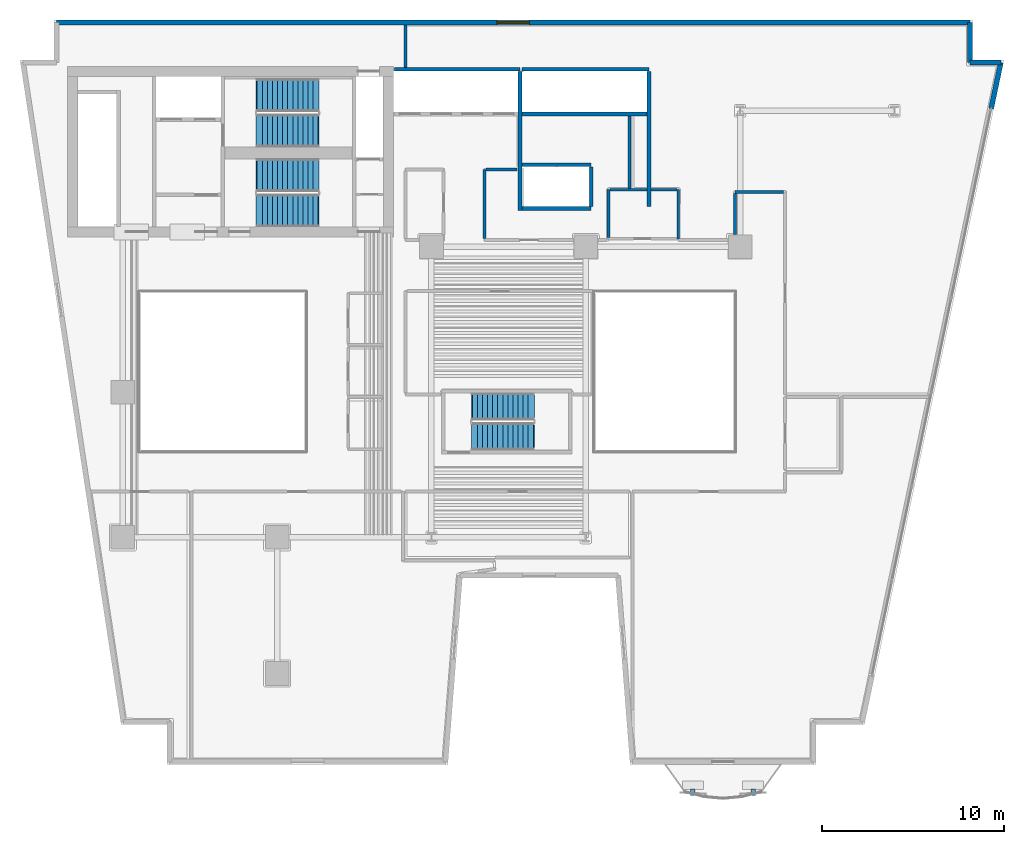
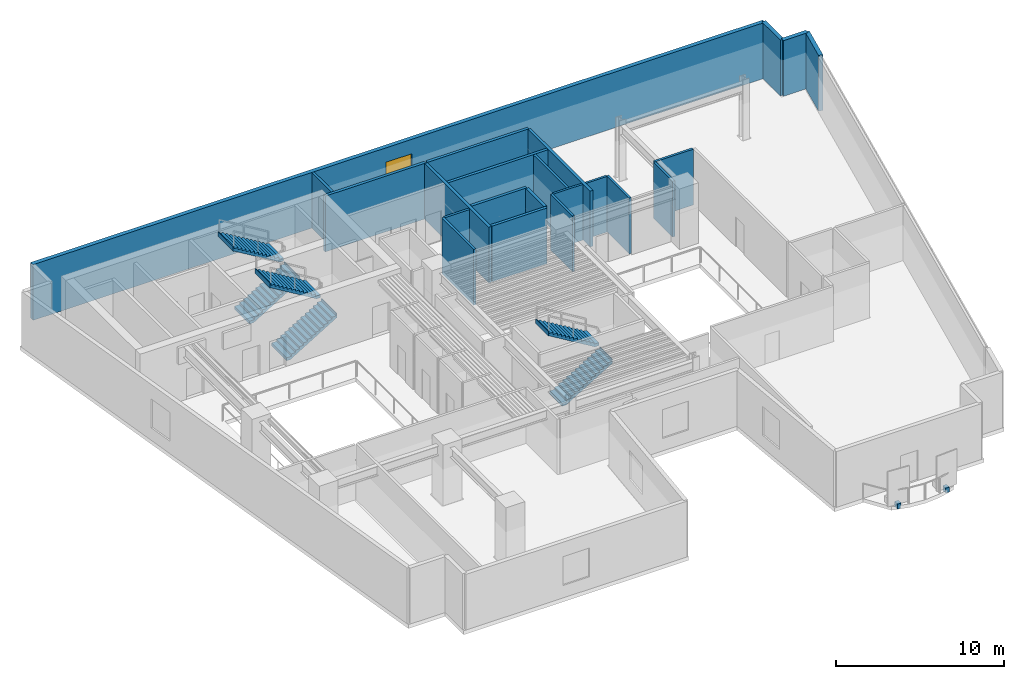
# One storey, part 6 of 11: 22 walls, 6 stair flights, 2 discrete accessories, 1 window, 1 opening, 3 elements without a shape of their own.
"""IFC4 building model written with IfcOpenShell, lengths in metres."""

from ifc_helpers import new_model, si_unit, direction, frame, frame_2d, origin, origin_2d, place, context, subcontext, project, spatial, polyline, rectangle, outline, extrude, material, layer, layer_set, type_object, element, fill, aggregate, save


model = new_model("IFC4")

# Units and contexts
model_context = context("Model", 3, precision=1e-05, world=origin(), true_north=direction((0.0, 1.0)))
body_context = subcontext(model_context, "Body", "Model", "MODEL_VIEW")
ifc_project = project(units=[si_unit("LENGTHUNIT", "METRE"), si_unit("AREAUNIT", "SQUARE_METRE"), si_unit("VOLUMEUNIT", "CUBIC_METRE"), si_unit("PLANEANGLEUNIT", "RADIAN"), si_unit("MASSUNIT", "GRAM", prefix="KILO")], contexts=[model_context])

# Site, building, storey
site_placement = place(None, origin())
site = spatial("IfcSite", under=ifc_project, at=site_placement, CompositionType="ELEMENT")
building_placement = place(site_placement, origin())
building = spatial("IfcBuilding", under=site, at=building_placement, Name="Caeloran Harvest Quay", CompositionType="ELEMENT")
storey_placement = place(building_placement, frame((0.0, 0.0, 101.800048828125)))
storey = spatial("IfcBuildingStorey", under=building, at=storey_placement, Name="L23", CompositionType="ELEMENT", Elevation=101.800048828125)

# Wall, opening, window
ifc_material_1 = material(Name="Precast concrete C50/60", Category="concrete")
ifc_layer_1 = layer(ifc_material_1, 0.280029296875, Name="Precast concrete C50/60")
ifc_layer_set_1 = layer_set([ifc_layer_1], Name="Precast concrete C50/60")
wall_type_1 = type_object("IfcWallType", Name="ENV-WALL-EW-280", PredefinedType="STANDARD", material=ifc_layer_set_1)
wall_1_placement = place(storey_placement, frame((4.840087890625, 43.360107421875, 0.0), z_axis=(0.0, 0.0, 1.0), x_axis=(1.0, 0.0, 0.0)))
wall_1 = element("IfcWall", 1, at=wall_1_placement, inside=storey, type_object=wall_type_1, Name="L23 Exterior Precast Concrete Facade Wall 6", PredefinedType="STANDARD", context=body_context, shape_type="SweptSolid", body=[
    extrude(rectangle(XDim=50.31982421875, YDim=0.280029296875, at=frame_2d((25.159912109375, 0.0))), origin(), (0.0, 0.0, 1.0), 4.050048828125),
])
opening_placement = place(wall_1_placement, frame((24.260009765625, 0.0, 0.89990234375)))
opening = element("IfcOpeningElement", 2, at=opening_placement, cuts=wall_1, Name="Opening W-01", PredefinedType="OPENING", context=body_context, shape_type="SweptSolid", body=[
    extrude(rectangle(XDim=1.800048828125, YDim=2.10009765625, at=frame_2d((0.89990234375, 1.050048828125))), frame((0.0, 0.14990234375, 0.0), z_axis=(0.0, -1.0, 0.0), x_axis=(1.0, 0.0, 0.0)), (0.0, 0.0, 1.0), 0.300048828125),
])
ifc_material_2 = material(Name="Aluminium-Framed Low-E Laminated Glass", Category="aluminium")
window_type = type_object("IfcWindowType", Name="WIN-W-01", PartitioningType="SINGLE_PANEL", PredefinedType="WINDOW", material=ifc_material_2)
window_placement = place(opening_placement, origin())
window = element("IfcWindow", 3, at=window_placement, inside=storey, type_object=window_type, Name="L23 Facade Punched Window W-01", OverallHeight=2.10009765625, OverallWidth=1.800048828125, PartitioningType="SINGLE_PANEL", PredefinedType="WINDOW", context=body_context, shape_type="SweptSolid", body=[
    extrude(rectangle(XDim=1.800048828125, YDim=2.10009765625, at=frame_2d((0.89990234375, 1.050048828125))), frame((0.0, 0.030029296875, 0.0), z_axis=(0.0, -1.0, 0.0), x_axis=(1.0, 0.0, 0.0)), (0.0, 0.0, 1.0), 0.06005859375),
])
fill(opening, window)

# Walls
wall_2_placement = place(storey_placement, frame((55.159912109375, 43.360107421875, 0.0), z_axis=(0.0, 0.0, 1.0), x_axis=(0.0, -1.0, 0.0)))
element("IfcWall", 4, at=wall_2_placement, inside=storey, type_object=wall_type_1, Name="L23 Exterior Precast Concrete Facade Wall 7", PredefinedType="STANDARD", context=body_context, shape_type="SweptSolid", body=[
    extrude(rectangle(XDim=2.2001953125, YDim=0.280029296875, at=frame_2d((1.10009765625, 0.0))), origin(), (0.0, 0.0, 1.0), 4.050048828125),
])
wall_3_placement = place(storey_placement, frame((55.159912109375, 41.159912109375, 0.0), z_axis=(0.0, 0.0, 1.0), x_axis=(1.0, 0.0, 0.0)))
element("IfcWall", 5, at=wall_3_placement, inside=storey, type_object=wall_type_1, Name="L23 Exterior Precast Concrete Facade Wall 8", PredefinedType="STANDARD", context=body_context, shape_type="SweptSolid", body=[
    extrude(rectangle(XDim=1.705322265625, YDim=0.280029296875, at=frame_2d((0.8525390625, 0.0))), origin(), (0.0, 0.0, 1.0), 4.050048828125),
])
wall_4_placement = place(storey_placement, frame((56.865234375, 41.159912109375, 0.0), z_axis=(0.0, 0.0, 1.0), x_axis=(-0.205551409765, -0.978646319128, 0.0)))
element("IfcWall", 6, at=wall_4_placement, inside=storey, type_object=wall_type_1, Name="L23 Exterior Facade Corner Pier Wall 9A", PredefinedType="STANDARD", context=body_context, shape_type="SweptSolid", body=[
    extrude(rectangle(XDim=2.599853515625, YDim=0.280029296875, at=frame_2d((1.2998046875, 0.0))), origin(), (0.0, 0.0, 1.0), 4.050048828125),
])
ifc_material_3 = material(Name="Autoclaved Aerated Concrete Blockwork and Plasterboard", Category="masonry")
ifc_layer_2 = layer(ifc_material_3, 0.14990234375, Name="Autoclaved Aerated Concrete Blockwork and Plasterboard")
ifc_layer_set_2 = layer_set([ifc_layer_2], Name="Autoclaved Aerated Concrete Blockwork and Plasterboard")
wall_type_2 = type_object("IfcWallType", Name="INT-WALL-PW-150", PredefinedType="PARTITIONING", material=ifc_layer_set_2)
wall_5_placement = place(storey_placement, frame((39.10009765625, 34.14990234375, 0.0), z_axis=(0.0, 0.0, 1.0), x_axis=(0.0, -1.0, 0.0)))
element("IfcWall", 7, at=wall_5_placement, inside=storey, type_object=wall_type_2, Name="L23 Core Auxiliary Equipment Room Partition Wall", PredefinedType="PARTITIONING", context=body_context, shape_type="SweptSolid", body=[
    extrude(rectangle(XDim=2.699951171875, YDim=0.14990234375, at=frame_2d((1.35009765625, 0.0))), origin(), (0.0, 0.0, 1.0), 4.050048828125),
])
wall_6_placement = place(storey_placement, frame((35.25, 31.530029296875, 0.0), z_axis=(0.0, 0.0, 1.0), x_axis=(0.0, 1.0, 0.0)))
element("IfcWall", 8, at=wall_6_placement, inside=storey, type_object=wall_type_2, Name="L23 Core Auxiliary Equipment Room Partition Wall", PredefinedType="PARTITIONING", context=body_context, shape_type="SweptSolid", body=[
    extrude(rectangle(XDim=2.619873046875, YDim=0.14990234375, at=frame_2d((1.31005859375, 0.0))), origin(), (0.0, 0.0, 1.0), 4.050048828125),
])
wall_7_placement = place(storey_placement, frame((37.5849609375, 34.14990234375, 0.0), z_axis=(0.0, 0.0, 1.0), x_axis=(1.0, 0.0, 0.0)))
element("IfcWall", 9, at=wall_7_placement, inside=storey, type_object=wall_type_2, Name="L23 Core Auxiliary Equipment Room Partition Wall", PredefinedType="PARTITIONING", context=body_context, shape_type="SweptSolid", body=[
    extrude(rectangle(XDim=1.43505859375, YDim=0.14990234375, at=frame_2d((0.717529296875, 0.0))), origin(), (0.0, 0.0, 1.0), 4.050048828125),
])
wall_8_placement = place(storey_placement, frame((35.330078125, 34.14990234375, 0.0), z_axis=(0.0, 0.0, 1.0), x_axis=(1.0, 0.0, 0.0)))
element("IfcWall", 10, at=wall_8_placement, inside=storey, type_object=wall_type_2, Name="L23 Core Auxiliary Equipment Room Partition Wall", PredefinedType="PARTITIONING", context=body_context, shape_type="SweptSolid", body=[
    extrude(rectangle(XDim=2.044921875, YDim=0.14990234375, at=frame_2d((1.0224609375, 0.0))), origin(), (0.0, 0.0, 1.0), 4.050048828125),
])
ifc_material_4 = material(Name="Autoclaved Aerated Concrete Blockwork", Category="masonry")
ifc_layer_3 = layer(ifc_material_4, 0.1650390625, Name="Autoclaved Aerated Concrete Blockwork")
ifc_layer_set_3 = layer_set([ifc_layer_3], Name="Autoclaved Aerated Concrete Blockwork")
wall_type_3 = type_object("IfcWallType", Name="INT-WALL-PW-165", PredefinedType="PARTITIONING", material=ifc_layer_set_3)
wall_9_placement = place(storey_placement, frame((36.419921875, 38.215087890625, 0.0), z_axis=(0.0, 0.0, 1.0), x_axis=(0.0, -1.0, 0.0)))
element("IfcWall", 11, at=wall_9_placement, inside=storey, type_object=wall_type_3, Name="Executive Agronomy Design Studio 8 Partition Wall", PredefinedType="PARTITIONING", context=body_context, shape_type="SweptSolid", body=[
    extrude(rectangle(XDim=3.985107421875, YDim=0.1650390625, at=frame_2d((1.99267578125, 0.0))), origin(), (0.0, 0.0, 1.0), 4.050048828125),
])
wall_10_placement = place(storey_placement, frame((28.429931640625, 31.467529296875, 0.0), z_axis=(0.0, 0.0, 1.0), x_axis=(0.0, 1.0, 0.0)))
element("IfcWall", 12, at=wall_10_placement, inside=storey, type_object=wall_type_3, Name="Executive Agronomy Design Studio 8 Partition Wall", PredefinedType="PARTITIONING", context=body_context, shape_type="SweptSolid", body=[
    extrude(rectangle(XDim=3.802490234375, YDim=0.1650390625, at=frame_2d((1.9013671875, 0.0))), origin(), (0.0, 0.0, 1.0), 4.050048828125),
])
wall_11_placement = place(storey_placement, frame((28.517578125, 35.27001953125, 0.0), z_axis=(0.0, 0.0, 1.0), x_axis=(1.0, 0.0, 0.0)))
element("IfcWall", 13, at=wall_11_placement, inside=storey, type_object=wall_type_3, Name="Executive Agronomy Design Studio 8 Partition Wall", PredefinedType="PARTITIONING", context=body_context, shape_type="SweptSolid", body=[
    extrude(rectangle(XDim=1.702392578125, YDim=0.1650390625, at=frame_2d((0.85107421875, 0.0))), origin(), (0.0, 0.0, 1.0), 4.050048828125),
])
wall_12_placement = place(storey_placement, frame((24.080078125, 40.885009765625, 0.0), z_axis=(0.0, 0.0, 1.0), x_axis=(0.0, 1.0, 0.0)))
element("IfcWall", 14, at=wall_12_placement, inside=storey, type_object=wall_type_3, Name="Regional Food Policy Boardroom 9 Partition Wall", PredefinedType="PARTITIONING", context=body_context, shape_type="SweptSolid", body=[
    extrude(rectangle(XDim=2.330078125, YDim=0.1650390625, at=frame_2d((1.1650390625, 0.0))), origin(), (0.0, 0.0, 1.0), 4.050048828125),
])
wall_13_placement = place(storey_placement, frame((44.892578125, 34.030029296875, 0.0), z_axis=(0.0, 0.0, 1.0), x_axis=(-1.0, 0.0, 0.0)))
element("IfcWall", 15, at=wall_13_placement, inside=storey, type_object=wall_type_3, Name="Regional Food Policy Boardroom 9 Partition Wall", PredefinedType="PARTITIONING", context=body_context, shape_type="SweptSolid", body=[
    extrude(rectangle(XDim=2.672607421875, YDim=0.1650390625, at=frame_2d((1.33642578125, 0.0))), origin(), (0.0, 0.0, 1.0), 4.050048828125),
])
wall_14_placement = place(storey_placement, frame((42.219970703125, 33.9423828125, 0.0), z_axis=(0.0, 0.0, 1.0), x_axis=(0.0, -1.0, 0.0)))
element("IfcWall", 16, at=wall_14_placement, inside=storey, type_object=wall_type_3, Name="Regional Food Policy Boardroom 9 Partition Wall", PredefinedType="PARTITIONING", context=body_context, shape_type="SweptSolid", body=[
    extrude(rectangle(XDim=2.267333984375, YDim=0.1650390625, at=frame_2d((1.1337890625, 0.0))), origin(), (0.0, 0.0, 1.0), 4.050048828125),
])
ifc_material_5 = material(Name="Concrete C50/60", Category="concrete")
ifc_layer_4 = layer(ifc_material_5, 0.199951171875, Name="Concrete C50/60")
ifc_layer_set_4 = layer_set([ifc_layer_4], Name="Concrete C50/60")
wall_type_4 = type_object("IfcWallType", Name="INT-WALL-SW-200", PredefinedType="PARTITIONING", material=ifc_layer_set_4)
wall_15_placement = place(storey_placement, frame((23.469970703125, 40.780029296875, 0.0), z_axis=(0.0, 0.0, 1.0), x_axis=(1.0, 0.0, 0.0)))
element("IfcWall", 17, at=wall_15_placement, inside=storey, type_object=wall_type_4, Name="L23 Bank 1 Lift Shaft North Wall", PredefinedType="PARTITIONING", context=body_context, shape_type="SweptSolid", body=[
    extrude(rectangle(XDim=6.909912109375, YDim=0.199951171875, at=frame_2d((3.455078125, 0.0))), origin(), (0.0, 0.0, 1.0), 4.050048828125),
])
wall_16_placement = place(storey_placement, frame((30.3798828125, 33.02001953125, 0.0), z_axis=(0.0, 0.0, 1.0), x_axis=(0.0, 1.0, 0.0)))
element("IfcWall", 18, at=wall_16_placement, inside=storey, type_object=wall_type_4, Name="L23 Bank 1 Lift Shaft East Wall", PredefinedType="PARTITIONING", context=body_context, shape_type="SweptSolid", body=[
    extrude(rectangle(XDim=7.639892578125, YDim=0.199951171875, at=frame_2d((3.81982421875, 0.0))), origin(), (0.0, 0.0, 1.0), 4.050048828125),
])
wall_17_placement = place(storey_placement, frame((30.5, 40.780029296875, 0.0), z_axis=(0.0, 0.0, 1.0), x_axis=(1.0, 0.0, 0.0)))
element("IfcWall", 19, at=wall_17_placement, inside=storey, type_object=wall_type_4, Name="L23 Bank 2 Lift Shaft North Wall", PredefinedType="PARTITIONING", context=body_context, shape_type="SweptSolid", body=[
    extrude(rectangle(XDim=6.97998046875, YDim=0.199951171875, at=frame_2d((3.489990234375, 0.0))), origin(), (0.0, 0.0, 1.0), 4.050048828125),
])
wall_18_placement = place(storey_placement, frame((37.47998046875, 33.239990234375, 0.0), z_axis=(0.0, 0.0, 1.0), x_axis=(0.0, 1.0, 0.0)))
element("IfcWall", 20, at=wall_18_placement, inside=storey, type_object=wall_type_4, Name="L23 Bank 2 Lift Shaft East Wall", PredefinedType="PARTITIONING", context=body_context, shape_type="SweptSolid", body=[
    extrude(rectangle(XDim=7.419921875, YDim=0.199951171875, at=frame_2d((3.7099609375, 0.0))), origin(), (0.0, 0.0, 1.0), 4.050048828125),
])
wall_19_placement = place(storey_placement, frame((30.5, 38.320068359375, 0.0), z_axis=(0.0, 0.0, 1.0), x_axis=(1.0, 0.0, 0.0)))
element("IfcWall", 21, at=wall_19_placement, inside=storey, type_object=wall_type_4, Name="L23 Bank 2 Lift Landing Front Wall", PredefinedType="PARTITIONING", context=body_context, shape_type="SweptSolid", body=[
    extrude(rectangle(XDim=6.860107421875, YDim=0.199951171875, at=frame_2d((3.43017578125, 0.0))), origin(), (0.0, 0.0, 1.0), 4.050048828125),
])
for number, where, z_axis, x_axis, name in (
    (22, (30.5, 35.530029296875, 0.0), (0.0, 0.0, 1.0), (1.0, 0.0, 0.0), "L23 Shuttle Lift Landing Front Wall"),
    (23, (30.5, 33.1201171875, 0.0), (0.0, 0.0, 1.0), (1.0, 0.0, 0.0), "L23 Shuttle Lift Shaft South Wall"),
):
    element("IfcWall", number, at=place(storey_placement, frame(where, z_axis=z_axis, x_axis=x_axis)), inside=storey, type_object=wall_type_4, Name=name, PredefinedType="PARTITIONING", context=body_context, shape_type="SweptSolid", body=[
        extrude(rectangle(XDim=3.800048828125, YDim=0.199951171875, at=frame_2d((1.89990234375, 0.0))), origin(), (0.0, 0.0, 1.0), 4.050048828125),
    ])
wall_20_placement = place(storey_placement, frame((34.300048828125, 33.239990234375, 0.0), z_axis=(0.0, 0.0, 1.0), x_axis=(0.0, 1.0, 0.0)))
element("IfcWall", 24, at=wall_20_placement, inside=storey, type_object=wall_type_4, Name="L23 Shuttle Lift Shaft East Wall", PredefinedType="PARTITIONING", context=body_context, shape_type="SweptSolid", body=[
    extrude(rectangle(XDim=2.169921875, YDim=0.199951171875, at=frame_2d((1.0849609375, 0.0))), origin(), (0.0, 0.0, 1.0), 4.050048828125),
])

# Stair, stair flights
stair_type_1 = type_object("IfcStairType", Name="STAIR-STC-180", PredefinedType="HALF_TURN_STAIR", material=ifc_material_5)
stair_1_placement = place(storey_placement, origin())
stair_1 = element("IfcStair", 25, at=stair_1_placement, inside=storey, type_object=stair_type_1, Name="L23 Core Pressurized Exit Stair ST-C1", PredefinedType="HALF_TURN_STAIR")
stair_flight_type_1 = type_object("IfcStairFlightType", Name="FLIGHT-STC-180", PredefinedType="STRAIGHT", material=ifc_material_5)
stair_flight_1_placement = place(storey_placement, frame((15.89990234375, 37.39990234375, 0.0), z_axis=(0.0, 0.0, 1.0), x_axis=(1.0, 0.0, 0.0)))
stair_flight_1 = element("IfcStairFlight", 26, at=stair_flight_1_placement, type_object=stair_flight_type_1, Name="ST-C1 flight 1", NumberOfRisers=13, NumberOfTreads=12, PredefinedType="STRAIGHT", RiserHeight=0.169230769, TreadLength=0.28, context=body_context, shape_type="SweptSolid", body=[
    extrude(outline(polyline([(-0.054931640625, -0.044921875), (-0.054931640625, -0.031494140625), (-0.054931640625, -0.018310546875), (-0.054931640625, -0.0048828125), (-0.054931640625, 0.008544921875), (-0.054931640625, 0.02197265625), (-0.054931640625, 0.035400390625), (-0.054931640625, 0.048828125), (-0.054931640625, 0.06201171875), (-0.054931640625, 0.075439453125), (-0.054931640625, 0.0888671875), (-0.054931640625, 0.102294921875), (-0.054931640625, 0.11572265625), (-0.054931640625, 0.129150390625), (-0.054931640625, 0.142333984375), (-0.054931640625, 0.15576171875), (-0.054931640625, 0.169189453125), (0.280029296875, 0.169189453125), (0.280029296875, 0.33837890625), (0.56005859375, 0.33837890625), (0.56005859375, 0.5078125), (0.840087890625, 0.5078125), (0.840087890625, 0.677001953125), (1.1201171875, 0.677001953125), (1.1201171875, 0.84619140625), (1.39990234375, 0.84619140625), (1.39990234375, 1.015380859375), (1.679931640625, 1.015380859375), (1.679931640625, 1.1845703125), (1.9599609375, 1.1845703125), (1.9599609375, 1.353759765625), (2.239990234375, 1.353759765625), (2.239990234375, 1.523193359375), (2.52001953125, 1.523193359375), (2.52001953125, 1.6923828125), (2.800048828125, 1.6923828125), (2.800048828125, 1.861572265625), (3.080078125, 1.861572265625), (3.080078125, 2.03076171875), (3.360107421875, 2.03076171875), (3.360107421875, 2.199951171875), (3.4150390625, 2.199951171875), (3.4150390625, 2.178466796875), (3.4150390625, 2.156982421875), (3.4150390625, 2.135498046875), (3.4150390625, 2.114013671875), (3.4150390625, 2.09228515625), (3.4150390625, 2.07080078125), (3.4150390625, 2.04931640625), (3.4150390625, 2.02783203125), (3.4150390625, 2.00634765625), (3.4150390625, 1.98486328125), (3.4150390625, 1.963134765625), (3.4150390625, 1.941650390625), (3.4150390625, 1.920166015625), (3.4150390625, 1.898681640625), (3.4150390625, 1.877197265625), (3.4150390625, 1.855712890625), (3.360107421875, 1.855712890625), (0.21533203125, -0.044921875), (-0.054931640625, -0.044921875)])), frame((0.0, 0.89990234375, 0.0), z_axis=(0.0, -1.0, 0.0), x_axis=(1.0, 0.0, 0.0)), (0.0, 0.0, 1.0), 1.800048828125),
])
stair_flight_2_placement = place(storey_placement, frame((19.260009765625, 39.35009765625, 2.199951171875), z_axis=(0.0, 0.0, 1.0), x_axis=(-1.0, 0.0, 0.0)))
stair_flight_2 = element("IfcStairFlight", 27, at=stair_flight_2_placement, type_object=stair_flight_type_1, Name="ST-C1 flight 2", NumberOfRisers=13, NumberOfTreads=12, PredefinedType="STRAIGHT", RiserHeight=0.169230769, TreadLength=0.28, context=body_context, shape_type="SweptSolid", body=[
    extrude(outline(polyline([(-0.054931640625, -0.044921875), (-0.054931640625, -0.031494140625), (-0.054931640625, -0.018310546875), (-0.054931640625, -0.0048828125), (-0.054931640625, 0.008544921875), (-0.054931640625, 0.02197265625), (-0.054931640625, 0.035400390625), (-0.054931640625, 0.048828125), (-0.054931640625, 0.06201171875), (-0.054931640625, 0.075439453125), (-0.054931640625, 0.0888671875), (-0.054931640625, 0.102294921875), (-0.054931640625, 0.11572265625), (-0.054931640625, 0.129150390625), (-0.054931640625, 0.142333984375), (-0.054931640625, 0.15576171875), (-0.054931640625, 0.169189453125), (0.280029296875, 0.169189453125), (0.280029296875, 0.33837890625), (0.56005859375, 0.33837890625), (0.56005859375, 0.5078125), (0.840087890625, 0.5078125), (0.840087890625, 0.677001953125), (1.1201171875, 0.677001953125), (1.1201171875, 0.84619140625), (1.39990234375, 0.84619140625), (1.39990234375, 1.015380859375), (1.679931640625, 1.015380859375), (1.679931640625, 1.1845703125), (1.9599609375, 1.1845703125), (1.9599609375, 1.353759765625), (2.239990234375, 1.353759765625), (2.239990234375, 1.523193359375), (2.52001953125, 1.523193359375), (2.52001953125, 1.6923828125), (2.800048828125, 1.6923828125), (2.800048828125, 1.861572265625), (3.080078125, 1.861572265625), (3.080078125, 2.03076171875), (3.360107421875, 2.03076171875), (3.360107421875, 2.199951171875), (3.4150390625, 2.199951171875), (3.4150390625, 2.178466796875), (3.4150390625, 2.156982421875), (3.4150390625, 2.135498046875), (3.4150390625, 2.114013671875), (3.4150390625, 2.09228515625), (3.4150390625, 2.07080078125), (3.4150390625, 2.04931640625), (3.4150390625, 2.02783203125), (3.4150390625, 2.00634765625), (3.4150390625, 1.98486328125), (3.4150390625, 1.963134765625), (3.4150390625, 1.941650390625), (3.4150390625, 1.920166015625), (3.4150390625, 1.898681640625), (3.4150390625, 1.877197265625), (3.4150390625, 1.855712890625), (3.360107421875, 1.855712890625), (0.21533203125, -0.044921875), (-0.054931640625, -0.044921875)])), frame((0.0, 0.89990234375, 0.0), z_axis=(0.0, -1.0, 0.0), x_axis=(1.0, 0.0, 0.0)), (0.0, 0.0, 1.0), 1.800048828125),
])
aggregate(stair_1, [stair_flight_1, stair_flight_2])

stair_2_placement = place(storey_placement, origin())
stair_2 = element("IfcStair", 28, at=stair_2_placement, inside=storey, type_object=stair_type_1, Name="L23 Core Pressurized Exit Stair ST-C2", PredefinedType="HALF_TURN_STAIR")
stair_flight_3_placement = place(storey_placement, frame((15.89990234375, 33.0, 0.0), z_axis=(0.0, 0.0, 1.0), x_axis=(1.0, 0.0, 0.0)))
stair_flight_3 = element("IfcStairFlight", 29, at=stair_flight_3_placement, type_object=stair_flight_type_1, Name="ST-C2 flight 1", NumberOfRisers=13, NumberOfTreads=12, PredefinedType="STRAIGHT", RiserHeight=0.169230769, TreadLength=0.28, context=body_context, shape_type="SweptSolid", body=[
    extrude(outline(polyline([(-0.054931640625, -0.044921875), (-0.054931640625, -0.031494140625), (-0.054931640625, -0.018310546875), (-0.054931640625, -0.0048828125), (-0.054931640625, 0.008544921875), (-0.054931640625, 0.02197265625), (-0.054931640625, 0.035400390625), (-0.054931640625, 0.048828125), (-0.054931640625, 0.06201171875), (-0.054931640625, 0.075439453125), (-0.054931640625, 0.0888671875), (-0.054931640625, 0.102294921875), (-0.054931640625, 0.11572265625), (-0.054931640625, 0.129150390625), (-0.054931640625, 0.142333984375), (-0.054931640625, 0.15576171875), (-0.054931640625, 0.169189453125), (0.280029296875, 0.169189453125), (0.280029296875, 0.33837890625), (0.56005859375, 0.33837890625), (0.56005859375, 0.5078125), (0.840087890625, 0.5078125), (0.840087890625, 0.677001953125), (1.1201171875, 0.677001953125), (1.1201171875, 0.84619140625), (1.39990234375, 0.84619140625), (1.39990234375, 1.015380859375), (1.679931640625, 1.015380859375), (1.679931640625, 1.1845703125), (1.9599609375, 1.1845703125), (1.9599609375, 1.353759765625), (2.239990234375, 1.353759765625), (2.239990234375, 1.523193359375), (2.52001953125, 1.523193359375), (2.52001953125, 1.6923828125), (2.800048828125, 1.6923828125), (2.800048828125, 1.861572265625), (3.080078125, 1.861572265625), (3.080078125, 2.03076171875), (3.360107421875, 2.03076171875), (3.360107421875, 2.199951171875), (3.4150390625, 2.199951171875), (3.4150390625, 2.178466796875), (3.4150390625, 2.156982421875), (3.4150390625, 2.135498046875), (3.4150390625, 2.114013671875), (3.4150390625, 2.09228515625), (3.4150390625, 2.07080078125), (3.4150390625, 2.04931640625), (3.4150390625, 2.02783203125), (3.4150390625, 2.00634765625), (3.4150390625, 1.98486328125), (3.4150390625, 1.963134765625), (3.4150390625, 1.941650390625), (3.4150390625, 1.920166015625), (3.4150390625, 1.898681640625), (3.4150390625, 1.877197265625), (3.4150390625, 1.855712890625), (3.360107421875, 1.855712890625), (0.21533203125, -0.044921875), (-0.054931640625, -0.044921875)])), frame((0.0, 0.89990234375, 0.0), z_axis=(0.0, -1.0, 0.0), x_axis=(1.0, 0.0, 0.0)), (0.0, 0.0, 1.0), 1.800048828125),
])
stair_flight_4_placement = place(storey_placement, frame((19.260009765625, 34.949951171875, 2.199951171875), z_axis=(0.0, 0.0, 1.0), x_axis=(-1.0, 0.0, 0.0)))
stair_flight_4 = element("IfcStairFlight", 30, at=stair_flight_4_placement, type_object=stair_flight_type_1, Name="ST-C2 flight 2", NumberOfRisers=13, NumberOfTreads=12, PredefinedType="STRAIGHT", RiserHeight=0.169230769, TreadLength=0.28, context=body_context, shape_type="SweptSolid", body=[
    extrude(outline(polyline([(-0.054931640625, -0.044921875), (-0.054931640625, -0.031494140625), (-0.054931640625, -0.018310546875), (-0.054931640625, -0.0048828125), (-0.054931640625, 0.008544921875), (-0.054931640625, 0.02197265625), (-0.054931640625, 0.035400390625), (-0.054931640625, 0.048828125), (-0.054931640625, 0.06201171875), (-0.054931640625, 0.075439453125), (-0.054931640625, 0.0888671875), (-0.054931640625, 0.102294921875), (-0.054931640625, 0.11572265625), (-0.054931640625, 0.129150390625), (-0.054931640625, 0.142333984375), (-0.054931640625, 0.15576171875), (-0.054931640625, 0.169189453125), (0.280029296875, 0.169189453125), (0.280029296875, 0.33837890625), (0.56005859375, 0.33837890625), (0.56005859375, 0.5078125), (0.840087890625, 0.5078125), (0.840087890625, 0.677001953125), (1.1201171875, 0.677001953125), (1.1201171875, 0.84619140625), (1.39990234375, 0.84619140625), (1.39990234375, 1.015380859375), (1.679931640625, 1.015380859375), (1.679931640625, 1.1845703125), (1.9599609375, 1.1845703125), (1.9599609375, 1.353759765625), (2.239990234375, 1.353759765625), (2.239990234375, 1.523193359375), (2.52001953125, 1.523193359375), (2.52001953125, 1.6923828125), (2.800048828125, 1.6923828125), (2.800048828125, 1.861572265625), (3.080078125, 1.861572265625), (3.080078125, 2.03076171875), (3.360107421875, 2.03076171875), (3.360107421875, 2.199951171875), (3.4150390625, 2.199951171875), (3.4150390625, 2.178466796875), (3.4150390625, 2.156982421875), (3.4150390625, 2.135498046875), (3.4150390625, 2.114013671875), (3.4150390625, 2.09228515625), (3.4150390625, 2.07080078125), (3.4150390625, 2.04931640625), (3.4150390625, 2.02783203125), (3.4150390625, 2.00634765625), (3.4150390625, 1.98486328125), (3.4150390625, 1.963134765625), (3.4150390625, 1.941650390625), (3.4150390625, 1.920166015625), (3.4150390625, 1.898681640625), (3.4150390625, 1.877197265625), (3.4150390625, 1.855712890625), (3.360107421875, 1.855712890625), (0.21533203125, -0.044921875), (-0.054931640625, -0.044921875)])), frame((0.0, 0.89990234375, 0.0), z_axis=(0.0, -1.0, 0.0), x_axis=(1.0, 0.0, 0.0)), (0.0, 0.0, 1.0), 1.800048828125),
])
aggregate(stair_2, [stair_flight_3, stair_flight_4])

stair_type_2 = type_object("IfcStairType", Name="STAIR-STW-150", PredefinedType="HALF_TURN_STAIR", material=ifc_material_5)
stair_3_placement = place(storey_placement, origin())
stair_3 = element("IfcStair", 31, at=stair_3_placement, inside=storey, type_object=stair_type_2, Name="L23 East Wing Protected Exit Stair ST-W1", PredefinedType="HALF_TURN_STAIR")
stair_flight_type_2 = type_object("IfcStairFlightType", Name="FLIGHT-STW-150", PredefinedType="STRAIGHT", material=ifc_material_5)
stair_flight_5_placement = place(storey_placement, frame((27.75, 20.550048828125, 0.0), z_axis=(0.0, 0.0, 1.0), x_axis=(1.0, 0.0, 0.0)))
stair_flight_5 = element("IfcStairFlight", 32, at=stair_flight_5_placement, type_object=stair_flight_type_2, Name="ST-W1 flight 1", NumberOfRisers=13, NumberOfTreads=12, PredefinedType="STRAIGHT", RiserHeight=0.169230769, TreadLength=0.28, context=body_context, shape_type="SweptSolid", body=[
    extrude(outline(polyline([(-0.054931640625, -0.044921875), (-0.054931640625, -0.031494140625), (-0.054931640625, -0.018310546875), (-0.054931640625, -0.0048828125), (-0.054931640625, 0.008544921875), (-0.054931640625, 0.02197265625), (-0.054931640625, 0.035400390625), (-0.054931640625, 0.048828125), (-0.054931640625, 0.06201171875), (-0.054931640625, 0.075439453125), (-0.054931640625, 0.0888671875), (-0.054931640625, 0.102294921875), (-0.054931640625, 0.11572265625), (-0.054931640625, 0.129150390625), (-0.054931640625, 0.142333984375), (-0.054931640625, 0.15576171875), (-0.054931640625, 0.169189453125), (0.280029296875, 0.169189453125), (0.280029296875, 0.33837890625), (0.56005859375, 0.33837890625), (0.56005859375, 0.5078125), (0.840087890625, 0.5078125), (0.840087890625, 0.677001953125), (1.1201171875, 0.677001953125), (1.1201171875, 0.84619140625), (1.39990234375, 0.84619140625), (1.39990234375, 1.015380859375), (1.679931640625, 1.015380859375), (1.679931640625, 1.1845703125), (1.9599609375, 1.1845703125), (1.9599609375, 1.353759765625), (2.239990234375, 1.353759765625), (2.239990234375, 1.523193359375), (2.52001953125, 1.523193359375), (2.52001953125, 1.6923828125), (2.800048828125, 1.6923828125), (2.800048828125, 1.861572265625), (3.080078125, 1.861572265625), (3.080078125, 2.03076171875), (3.360107421875, 2.03076171875), (3.360107421875, 2.199951171875), (3.4150390625, 2.199951171875), (3.4150390625, 2.178466796875), (3.4150390625, 2.156982421875), (3.4150390625, 2.135498046875), (3.4150390625, 2.114013671875), (3.4150390625, 2.09228515625), (3.4150390625, 2.07080078125), (3.4150390625, 2.04931640625), (3.4150390625, 2.02783203125), (3.4150390625, 2.00634765625), (3.4150390625, 1.98486328125), (3.4150390625, 1.963134765625), (3.4150390625, 1.941650390625), (3.4150390625, 1.920166015625), (3.4150390625, 1.898681640625), (3.4150390625, 1.877197265625), (3.4150390625, 1.855712890625), (3.360107421875, 1.855712890625), (0.21533203125, -0.044921875), (-0.054931640625, -0.044921875)])), frame((0.0, 0.75, 0.0), z_axis=(0.0, -1.0, 0.0), x_axis=(1.0, 0.0, 0.0)), (0.0, 0.0, 1.0), 1.5),
])
stair_flight_6_placement = place(storey_placement, frame((31.110107421875, 22.199951171875, 2.199951171875), z_axis=(0.0, 0.0, 1.0), x_axis=(-1.0, 0.0, 0.0)))
stair_flight_6 = element("IfcStairFlight", 33, at=stair_flight_6_placement, type_object=stair_flight_type_2, Name="ST-W1 flight 2", NumberOfRisers=13, NumberOfTreads=12, PredefinedType="STRAIGHT", RiserHeight=0.169230769, TreadLength=0.28, context=body_context, shape_type="SweptSolid", body=[
    extrude(outline(polyline([(-0.054931640625, -0.044921875), (-0.054931640625, -0.031494140625), (-0.054931640625, -0.018310546875), (-0.054931640625, -0.0048828125), (-0.054931640625, 0.008544921875), (-0.054931640625, 0.02197265625), (-0.054931640625, 0.035400390625), (-0.054931640625, 0.048828125), (-0.054931640625, 0.06201171875), (-0.054931640625, 0.075439453125), (-0.054931640625, 0.0888671875), (-0.054931640625, 0.102294921875), (-0.054931640625, 0.11572265625), (-0.054931640625, 0.129150390625), (-0.054931640625, 0.142333984375), (-0.054931640625, 0.15576171875), (-0.054931640625, 0.169189453125), (0.280029296875, 0.169189453125), (0.280029296875, 0.33837890625), (0.56005859375, 0.33837890625), (0.56005859375, 0.5078125), (0.840087890625, 0.5078125), (0.840087890625, 0.677001953125), (1.1201171875, 0.677001953125), (1.1201171875, 0.84619140625), (1.39990234375, 0.84619140625), (1.39990234375, 1.015380859375), (1.679931640625, 1.015380859375), (1.679931640625, 1.1845703125), (1.9599609375, 1.1845703125), (1.9599609375, 1.353759765625), (2.239990234375, 1.353759765625), (2.239990234375, 1.523193359375), (2.52001953125, 1.523193359375), (2.52001953125, 1.6923828125), (2.800048828125, 1.6923828125), (2.800048828125, 1.861572265625), (3.080078125, 1.861572265625), (3.080078125, 2.03076171875), (3.360107421875, 2.03076171875), (3.360107421875, 2.199951171875), (3.4150390625, 2.199951171875), (3.4150390625, 2.178466796875), (3.4150390625, 2.156982421875), (3.4150390625, 2.135498046875), (3.4150390625, 2.114013671875), (3.4150390625, 2.09228515625), (3.4150390625, 2.07080078125), (3.4150390625, 2.04931640625), (3.4150390625, 2.02783203125), (3.4150390625, 2.00634765625), (3.4150390625, 1.98486328125), (3.4150390625, 1.963134765625), (3.4150390625, 1.941650390625), (3.4150390625, 1.920166015625), (3.4150390625, 1.898681640625), (3.4150390625, 1.877197265625), (3.4150390625, 1.855712890625), (3.360107421875, 1.855712890625), (0.21533203125, -0.044921875), (-0.054931640625, -0.044921875)])), frame((0.0, 0.75, 0.0), z_axis=(0.0, -1.0, 0.0), x_axis=(1.0, 0.0, 0.0)), (0.0, 0.0, 1.0), 1.5),
])
aggregate(stair_3, [stair_flight_5, stair_flight_6])

# Discrete accessories
ifc_material_6 = material(Name="Stainless Steel Grade 316L", Category="steel")
discrete_accessory_type = type_object("IfcDiscreteAccessoryType", Name="BRACKET-SCREEN-SS", PredefinedType="BRACKET", material=ifc_material_6)
for number, where, z_axis, x_axis, name in (
    (34, (43.218505859375, 0.96337890625, -0.22021484375), (0.0, 0.0, 1.0), (1.0, 0.0, 0.0), "L23 Balcony Screen Support Bracket 1"),
    (35, (39.8984375, 0.96337890625, -0.22021484375), (0.0, 0.0, 1.0), (1.0, 0.0, 0.0), "L23 Balcony Screen Support Bracket 2"),
):
    element("IfcDiscreteAccessory", number, at=place(storey_placement, frame(where, z_axis=z_axis, x_axis=x_axis)), inside=storey, type_object=discrete_accessory_type, Name=name, PredefinedType="BRACKET", context=body_context, shape_type="SweptSolid", body=[
        extrude(rectangle(XDim=0.260009765625, YDim=0.340087890625, at=origin_2d()), origin(), (0.0, 0.0, 1.0), 0.360107421875),
    ])

save(model, "model.ifc")
